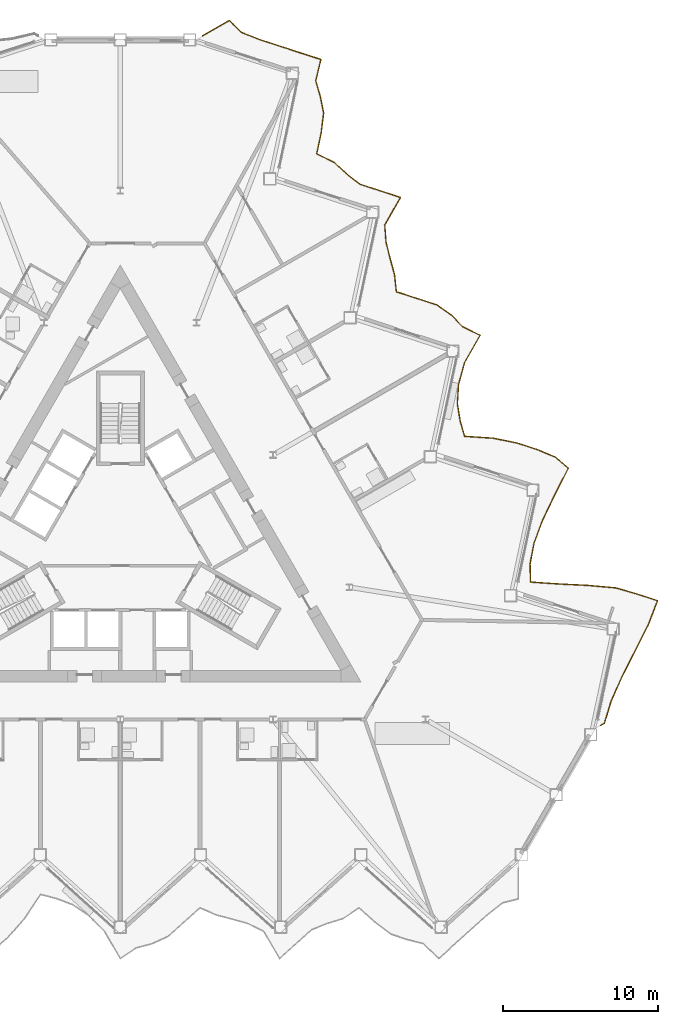
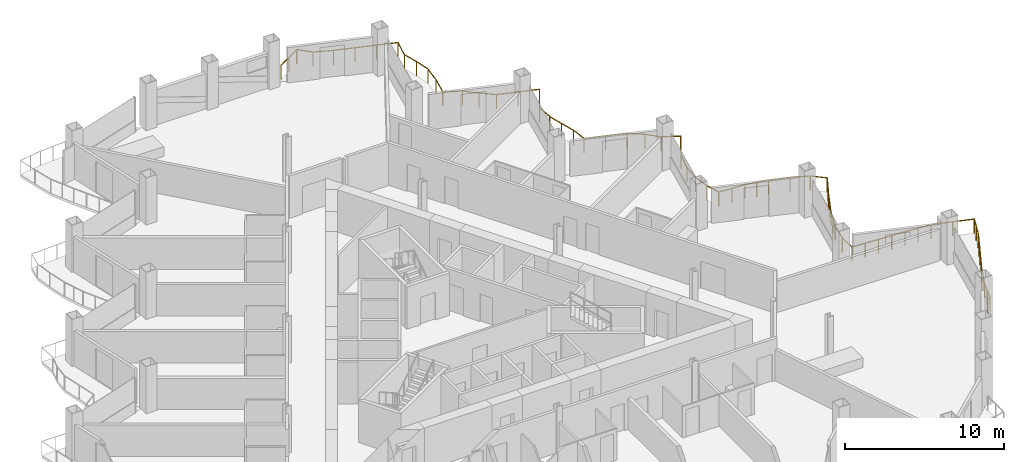
# One storey, part 21 of 23: 1 railing.
"""IFC4 building model written with IfcOpenShell, lengths in metres."""

from ifc_helpers import new_model, si_unit, direction, frame, origin, origin_2d, place, context, subcontext, project, spatial, circle, extrude, material, type_object, element, save


model = new_model("IFC4")

# Units and contexts
model_context = context("Model", 3, precision=1e-05, world=origin(), true_north=direction((0.0, 1.0)))
body_context = subcontext(model_context, "Body", "Model", "MODEL_VIEW")
ifc_project = project(units=[si_unit("LENGTHUNIT", "METRE"), si_unit("AREAUNIT", "SQUARE_METRE"), si_unit("VOLUMEUNIT", "CUBIC_METRE"), si_unit("PLANEANGLEUNIT", "RADIAN"), si_unit("MASSUNIT", "GRAM", prefix="KILO")], contexts=[model_context])

# Site, building, storey
site_placement = place(None, origin())
site = spatial("IfcSite", under=ifc_project, at=site_placement, CompositionType="ELEMENT")
building_placement = place(site_placement, origin())
building = spatial("IfcBuilding", under=site, at=building_placement, Name="Cormorant Prow Tower", CompositionType="ELEMENT")
storey_placement = place(building_placement, frame((0.0, 0.0, 187.199951171875)))
storey = spatial("IfcBuildingStorey", under=building, at=storey_placement, Name="L40", CompositionType="ELEMENT", Elevation=187.199951171875)

# Railing
ifc_material = material(Name="Aluminium 6063-T6", Category="aluminium")
railing_type = type_object("IfcRailingType", Name="Balcony guard 1100", PredefinedType="GUARDRAIL", material=ifc_material)
railing_placement = place(storey_placement, frame((30.9365234375, -11.740234375, 0.0)))
element("IfcRailing", 1, at=railing_placement, inside=storey, type_object=railing_type, Name="Balcony guard ENE", PredefinedType="GUARDRAIL", context=body_context, shape_type="SweptSolid", body=[
    extrude(circle(Radius=0.02392578125, at=origin_2d()), frame((0.0, 0.0, 1.076171875), z_axis=(0.866065156741, 0.499931139538, 0.0), x_axis=(-0.499931139538, 0.866065156741, 0.0)), (0.0, 0.0, 1.0), 0.27001953125),
    extrude(circle(Radius=0.02392578125, at=origin_2d()), frame((0.23388671875, 0.135009765625, 1.076171875), z_axis=(0.293516032745, 0.955954150847, 0.0), x_axis=(-0.955954150847, 0.293516032745, 0.0)), (0.0, 0.0, 1.0), 1.505615234375),
    extrude(circle(Radius=0.02392578125, at=origin_2d()), frame((0.67578125, 1.57421875, 1.076171875), z_axis=(0.406008472679, 0.913869312382, 0.0), x_axis=(-0.913869312382, 0.406008472679, 0.0)), (0.0, 0.0, 1.0), 1.74267578125),
    extrude(circle(Radius=0.02392578125, at=origin_2d()), frame((1.38330078125, 3.166748046875, 1.076171875), z_axis=(0.453484375537, 0.891264226335, 0.0), x_axis=(-0.891264226335, 0.453484375537, 0.0)), (0.0, 0.0, 1.0), 1.881103515625),
    extrude(circle(Radius=0.02392578125, at=origin_2d()), frame((2.236328125, 4.84326171875, 1.076171875), z_axis=(0.448208464574, 0.893929064459, 0.0), x_axis=(-0.893929064459, 0.448208464574, 0.0)), (0.0, 0.0, 1.0), 1.864501953125),
    extrude(circle(Radius=0.02392578125, at=origin_2d()), frame((3.072021484375, 6.510009765625, 1.076171875), z_axis=(0.360150924711, 0.932894051556, 0.0), x_axis=(-0.932894051556, 0.360150924711, 0.0)), (0.0, 0.0, 1.0), 1.633056640625),
    extrude(circle(Radius=0.02392578125, at=origin_2d()), frame((3.66015625, 8.033447265625, 1.076171875), z_axis=(-0.951096454731, 0.308894049472, 0.0), x_axis=(-0.308894049472, -0.951096454731, 0.0)), (0.0, 0.0, 1.0), 1.3798828125),
    extrude(circle(Radius=0.02392578125, at=origin_2d()), frame((2.34765625, 8.459716796875, 1.076171875), z_axis=(-0.959696633934, 0.28103802379, 0.0), x_axis=(-0.28103802379, -0.959696633934, 0.0)), (0.0, 0.0, 1.0), 1.417724609375),
    extrude(circle(Radius=0.02392578125, at=origin_2d()), frame((0.987060546875, 8.858154296875, 1.076171875), z_axis=(-0.99596256154, 0.089769571736, 0.0), x_axis=(-0.089769571736, -0.99596256154, 0.0)), (0.0, 0.0, 1.0), 1.78125),
    extrude(circle(Radius=0.02392578125, at=origin_2d()), frame((-0.787109375, 9.01806640625, 1.076171875), z_axis=(-0.99876998627, 0.04958340979, 0.0), x_axis=(-0.04958340979, -0.99876998627, 0.0)), (0.0, 0.0, 1.0), 1.890869140625),
    extrude(circle(Radius=0.02392578125, at=origin_2d()), frame((-2.675537109375, 9.11181640625, 1.076171875), z_axis=(-0.997766351323, 0.066800510237, 0.0), x_axis=(-0.066800510237, -0.997766351323, 0.0)), (0.0, 0.0, 1.0), 1.842041015625),
    extrude(circle(Radius=0.02392578125, at=origin_2d()), frame((-4.513427734375, 9.23486328125, 1.076171875), z_axis=(-0.031903113576, 0.999490966114, 0.0), x_axis=(-0.999490966114, -0.031903113576, 0.0)), (0.0, 0.0, 1.0), 1.1630859375),
    extrude(circle(Radius=0.02392578125, at=origin_2d()), frame((-4.550537109375, 10.3974609375, 1.076171875), z_axis=(0.189294523256, 0.98192035495, 0.0), x_axis=(-0.98192035495, 0.189294523256, 0.0)), (0.0, 0.0, 1.0), 1.356689453125),
    extrude(circle(Radius=0.02392578125, at=origin_2d()), frame((-4.293701171875, 11.729736328125, 1.076171875), z_axis=(0.348075950724, 0.937466336744, 0.0), x_axis=(-0.937466336744, 0.348075950724, 0.0)), (0.0, 0.0, 1.0), 1.607666015625),
    extrude(circle(Radius=0.02392578125, at=origin_2d()), frame((-3.734130859375, 13.23681640625, 1.076171875), z_axis=(0.432140689655, 0.901806201101, 0.0), x_axis=(-0.901806201101, 0.432140689655, 0.0)), (0.0, 0.0, 1.0), 1.815185546875),
    extrude(circle(Radius=0.02392578125, at=origin_2d()), frame((-2.94970703125, 14.873779296875, 1.076171875), z_axis=(0.457394618231, 0.889263832174, 0.0), x_axis=(-0.889263832174, 0.457394618231, 0.0)), (0.0, 0.0, 1.0), 1.893798828125),
    extrude(circle(Radius=0.02392578125, at=origin_2d()), frame((-2.08349609375, 16.557861328125, 1.076171875), z_axis=(-0.753552441172, 0.657387799098, 0.0), x_axis=(-0.657387799098, -0.753552441172, 0.0)), (0.0, 0.0, 1.0), 1.083984375),
    extrude(circle(Radius=0.02392578125, at=origin_2d()), frame((-2.900390625, 17.2705078125, 1.076171875), z_axis=(-0.923138487325, 0.384467597099, 0.0), x_axis=(-0.384467597099, -0.923138487325, 0.0)), (0.0, 0.0, 1.0), 1.290283203125),
    extrude(circle(Radius=0.02392578125, at=origin_2d()), frame((-4.091552734375, 17.7666015625, 1.076171875), z_axis=(-0.951027567221, 0.309106076267, 0.0), x_axis=(-0.309106076267, -0.951027567221, 0.0)), (0.0, 0.0, 1.0), 1.3798828125),
    extrude(circle(Radius=0.02392578125, at=origin_2d()), frame((-5.40380859375, 18.193115234375, 1.076171875), z_axis=(-0.980659137752, 0.195723415928, 0.0), x_axis=(-0.195723415928, -0.980659137752, 0.0)), (0.0, 0.0, 1.0), 1.55419921875),
    extrude(circle(Radius=0.02392578125, at=origin_2d()), frame((-6.927978515625, 18.497314453125, 1.076171875), z_axis=(-0.997805037739, 0.066220137891, 0.0), x_axis=(-0.066220137891, -0.997805037739, 0.0)), (0.0, 0.0, 1.0), 1.843505859375),
    extrude(circle(Radius=0.02392578125, at=origin_2d()), frame((-8.767333984375, 18.619384765625, 1.076171875), z_axis=(-0.273104735549, 0.961984305184, 0.0), x_axis=(-0.961984305184, -0.273104735549, 0.0)), (0.0, 0.0, 1.0), 1.0576171875),
    extrude(circle(Radius=0.02392578125, at=origin_2d()), frame((-9.05615234375, 19.63671875, 1.076171875), z_axis=(-0.157435427354, 0.987529283725, 0.0), x_axis=(-0.987529283725, -0.157435427354, 0.0)), (0.0, 0.0, 1.0), 1.097900390625),
    extrude(circle(Radius=0.02392578125, at=origin_2d()), frame((-9.22900390625, 20.720947265625, 1.076171875), z_axis=(0.060956655483, 0.998140414046, 0.0), x_axis=(-0.998140414046, 0.060956655483, 0.0)), (0.0, 0.0, 1.0), 1.2294921875),
    extrude(circle(Radius=0.02392578125, at=origin_2d()), frame((-9.154052734375, 21.9482421875, 1.076171875), z_axis=(0.263259196573, 0.96472513983, 0.0), x_axis=(-0.96472513983, 0.263259196573, 0.0)), (0.0, 0.0, 1.0), 1.45703125),
    extrude(circle(Radius=0.02392578125, at=origin_2d()), frame((-8.7705078125, 23.353759765625, 1.076171875), z_axis=(0.495453233492, 0.868634614451, 0.0), x_axis=(-0.868634614451, 0.495453233492, 0.0)), (0.0, 0.0, 1.0), 2.03271484375),
    extrude(circle(Radius=0.02392578125, at=origin_2d()), frame((-7.763427734375, 25.119384765625, 1.076171875), z_axis=(-0.896556330996, 0.442929729586, 0.0), x_axis=(-0.442929729586, -0.896556330996, 0.0)), (0.0, 0.0, 1.0), 1.232421875),
    extrude(circle(Radius=0.02392578125, at=origin_2d()), frame((-8.868408203125, 25.665283203125, 1.076171875), z_axis=(-0.704570306459, 0.709634189746, 0.0), x_axis=(-0.709634189746, -0.704570306459, 0.0)), (0.0, 0.0, 1.0), 1.060546875),
    extrude(circle(Radius=0.02392578125, at=origin_2d()), frame((-9.61572265625, 26.41796875, 1.076171875), z_axis=(-0.813000196815, 0.582263411163, 0.0), x_axis=(-0.582263411163, -0.813000196815, 0.0)), (0.0, 0.0, 1.0), 1.125732421875),
    extrude(circle(Radius=0.02392578125, at=origin_2d()), frame((-10.531005859375, 27.073486328125, 1.076171875), z_axis=(-0.951044468521, 0.309054071151, 0.0), x_axis=(-0.309054071151, -0.951044468521, 0.0)), (0.0, 0.0, 1.0), 1.380126953125),
    extrude(circle(Radius=0.02392578125, at=origin_2d()), frame((-11.843505859375, 27.5, 1.076171875), z_axis=(-0.951079570005, 0.308946033345, 0.0), x_axis=(-0.308946033345, -0.951079570005, 0.0)), (0.0, 0.0, 1.0), 1.379638671875),
    extrude(circle(Radius=0.02392578125, at=origin_2d()), frame((-13.15576171875, 27.92626953125, 1.076171875), z_axis=(-0.10851798639, 0.994094485766, 0.0), x_axis=(-0.994094485766, -0.10851798639, 0.0)), (0.0, 0.0, 1.0), 1.120361328125),
    extrude(circle(Radius=0.02392578125, at=origin_2d()), frame((-13.27734375, 29.0400390625, 1.076171875), z_axis=(-0.263877179936, 0.964556288616, 0.0), x_axis=(-0.964556288616, -0.263877179936, 0.0)), (0.0, 0.0, 1.0), 1.060302734375),
    extrude(circle(Radius=0.02392578125, at=origin_2d()), frame((-13.55712890625, 30.062744140625, 1.076171875), z_axis=(-0.244906747851, 0.969546638825, 0.0), x_axis=(-0.969546638825, -0.244906747851, 0.0)), (0.0, 0.0, 1.0), 1.065673828125),
    extrude(circle(Radius=0.02392578125, at=origin_2d()), frame((-13.818115234375, 31.095947265625, 1.076171875), z_axis=(-0.074645969894, 0.997210097812, 0.0), x_axis=(-0.997210097812, -0.074645969894, 0.0)), (0.0, 0.0, 1.0), 1.13818359375),
    extrude(circle(Radius=0.02392578125, at=origin_2d()), frame((-13.903076171875, 32.23095703125, 1.076171875), z_axis=(0.496861152108, 0.867830049909, 0.0), x_axis=(-0.867830049909, 0.496861152108, 0.0)), (0.0, 0.0, 1.0), 2.0380859375),
    extrude(circle(Radius=0.02392578125, at=origin_2d()), frame((-12.890380859375, 33.999755859375, 1.076171875), z_axis=(-0.951079570005, 0.308946033345, 0.0), x_axis=(-0.308946033345, -0.951079570005, 0.0)), (0.0, 0.0, 1.0), 1.379638671875),
    extrude(circle(Radius=0.02392578125, at=origin_2d()), frame((-14.20263671875, 34.426025390625, 1.076171875), z_axis=(-0.951044468521, 0.309054071151, 0.0), x_axis=(-0.309054071151, -0.951044468521, 0.0)), (0.0, 0.0, 1.0), 1.380126953125),
    extrude(circle(Radius=0.02392578125, at=origin_2d()), frame((-15.51513671875, 34.8525390625, 1.076171875), z_axis=(-0.786464009692, 0.617636107639, 0.0), x_axis=(-0.617636107639, -0.786464009692, 0.0)), (0.0, 0.0, 1.0), 1.104736328125),
    extrude(circle(Radius=0.02392578125, at=origin_2d()), frame((-16.384033203125, 35.534912109375, 1.076171875), z_axis=(-0.73419294038, 0.678940885715, 0.0), x_axis=(-0.678940885715, -0.73419294038, 0.0)), (0.0, 0.0, 1.0), 1.07373046875),
    extrude(circle(Radius=0.02392578125, at=origin_2d()), frame((-17.17236328125, 36.263916015625, 1.076171875), z_axis=(-0.898420732639, 0.439135727497, 0.0), x_axis=(-0.439135727497, -0.898420732639, 0.0)), (0.0, 0.0, 1.0), 1.23583984375),
    extrude(circle(Radius=0.02392578125, at=origin_2d()), frame((-18.28271484375, 36.806640625, 1.076171875), z_axis=(0.207873566928, 0.97815570344, 0.0), x_axis=(-0.97815570344, 0.207873566928, 0.0)), (0.0, 0.0, 1.0), 1.3798828125),
    extrude(circle(Radius=0.02392578125, at=origin_2d()), frame((-17.995849609375, 38.156494140625, 1.076171875), z_axis=(0.1220457222, 0.99252447914, 0.0), x_axis=(-0.99252447914, 0.1220457222, 0.0)), (0.0, 0.0, 1.0), 1.2841796875),
    extrude(circle(Radius=0.02392578125, at=origin_2d()), frame((-17.839111328125, 39.43115234375, 1.076171875), z_axis=(-0.196029372676, 0.980598024191, 0.0), x_axis=(-0.980598024191, -0.196029372676, 0.0)), (0.0, 0.0, 1.0), 1.082275390625),
    extrude(circle(Radius=0.02392578125, at=origin_2d()), frame((-18.05126953125, 40.492431640625, 1.076171875), z_axis=(-0.276795561182, 0.960928830513, 0.0), x_axis=(-0.960928830513, -0.276795561182, 0.0)), (0.0, 0.0, 1.0), 1.056640625),
    extrude(circle(Radius=0.02392578125, at=origin_2d()), frame((-18.34375, 41.5078125, 1.076171875), z_axis=(0.231238316369, 0.972897137956, 0.0), x_axis=(-0.972897137956, 0.231238316369, 0.0)), (0.0, 0.0, 1.0), 1.41064453125),
    extrude(circle(Radius=0.02392578125, at=origin_2d()), frame((-18.017578125, 42.880126953125, 1.076171875), z_axis=(-0.951027567221, 0.309106076267, 0.0), x_axis=(-0.309106076267, -0.951027567221, 0.0)), (0.0, 0.0, 1.0), 1.3798828125),
    extrude(circle(Radius=0.02392578125, at=origin_2d()), frame((-19.329833984375, 43.306640625, 1.076171875), z_axis=(-0.951079570005, 0.308946033345, 0.0), x_axis=(-0.308946033345, -0.951079570005, 0.0)), (0.0, 0.0, 1.0), 1.379638671875),
    extrude(circle(Radius=0.02392578125, at=origin_2d()), frame((-20.64208984375, 43.73291015625, 1.076171875), z_axis=(-0.951027567221, 0.309106076267, 0.0), x_axis=(-0.309106076267, -0.951027567221, 0.0)), (0.0, 0.0, 1.0), 1.3798828125),
    extrude(circle(Radius=0.02392578125, at=origin_2d()), frame((-21.954345703125, 44.159423828125, 1.076171875), z_axis=(-0.929859808769, 0.367914033486, 0.0), x_axis=(-0.367914033486, -0.929859808769, 0.0)), (0.0, 0.0, 1.0), 1.30859375),
    extrude(circle(Radius=0.02392578125, at=origin_2d()), frame((-23.171142578125, 44.640869140625, 1.076171875), z_axis=(-0.696877293375, 0.717190377779, 0.0), x_axis=(-0.717190377779, -0.696877293375, 0.0)), (0.0, 0.0, 1.0), 1.0576171875),
    extrude(circle(Radius=0.02392578125, at=origin_2d()), frame((-23.908203125, 45.3994140625, 1.076171875), z_axis=(-0.866042919053, -0.499969661438, 0.0), x_axis=(0.499969661438, -0.866042919053, 0.0)), (0.0, 0.0, 1.0), 1.99462890625),
    extrude(circle(Radius=0.02099609375, at=origin_2d()), origin(), (0.0, 0.0, 1.0), 1.052001953125),
    extrude(circle(Radius=0.02099609375, at=origin_2d()), frame((0.23388671875, 0.135009765625, 0.0)), (0.0, 0.0, 1.0), 1.052001953125),
    extrude(circle(Radius=0.02099609375, at=origin_2d()), frame((0.454833984375, 0.8544921875, 0.0)), (0.0, 0.0, 1.0), 1.052001953125),
    extrude(circle(Radius=0.02099609375, at=origin_2d()), frame((0.67578125, 1.57421875, 0.0)), (0.0, 0.0, 1.0), 1.052001953125),
    extrude(circle(Radius=0.02099609375, at=origin_2d()), frame((1.029541015625, 2.37060546875, 0.0)), (0.0, 0.0, 1.0), 1.052001953125),
    extrude(circle(Radius=0.02099609375, at=origin_2d()), frame((1.38330078125, 3.166748046875, 0.0)), (0.0, 0.0, 1.0), 1.052001953125),
    extrude(circle(Radius=0.02099609375, at=origin_2d()), frame((1.809814453125, 4.0048828125, 0.0)), (0.0, 0.0, 1.0), 1.052001953125),
    extrude(circle(Radius=0.02099609375, at=origin_2d()), frame((2.236328125, 4.84326171875, 0.0)), (0.0, 0.0, 1.0), 1.052001953125),
    extrude(circle(Radius=0.02099609375, at=origin_2d()), frame((2.654296875, 5.6767578125, 0.0)), (0.0, 0.0, 1.0), 1.052001953125),
    extrude(circle(Radius=0.02099609375, at=origin_2d()), frame((3.072021484375, 6.510009765625, 0.0)), (0.0, 0.0, 1.0), 1.052001953125),
    extrude(circle(Radius=0.02099609375, at=origin_2d()), frame((3.3662109375, 7.271728515625, 0.0)), (0.0, 0.0, 1.0), 1.052001953125),
    extrude(circle(Radius=0.02099609375, at=origin_2d()), frame((3.66015625, 8.033447265625, 0.0)), (0.0, 0.0, 1.0), 1.052001953125),
    extrude(circle(Radius=0.02099609375, at=origin_2d()), frame((2.34765625, 8.459716796875, 0.0)), (0.0, 0.0, 1.0), 1.052001953125),
    extrude(circle(Radius=0.02099609375, at=origin_2d()), frame((0.987060546875, 8.858154296875, 0.0)), (0.0, 0.0, 1.0), 1.052001953125),
    extrude(circle(Radius=0.02099609375, at=origin_2d()), frame((0.10009765625, 8.93798828125, 0.0)), (0.0, 0.0, 1.0), 1.052001953125),
    extrude(circle(Radius=0.02099609375, at=origin_2d()), frame((-0.787109375, 9.01806640625, 0.0)), (0.0, 0.0, 1.0), 1.052001953125),
    extrude(circle(Radius=0.02099609375, at=origin_2d()), frame((-1.7314453125, 9.06494140625, 0.0)), (0.0, 0.0, 1.0), 1.052001953125),
    extrude(circle(Radius=0.02099609375, at=origin_2d()), frame((-2.675537109375, 9.11181640625, 0.0)), (0.0, 0.0, 1.0), 1.052001953125),
    extrude(circle(Radius=0.02099609375, at=origin_2d()), frame((-3.594482421875, 9.17333984375, 0.0)), (0.0, 0.0, 1.0), 1.052001953125),
    extrude(circle(Radius=0.02099609375, at=origin_2d()), frame((-4.513427734375, 9.23486328125, 0.0)), (0.0, 0.0, 1.0), 1.052001953125),
    extrude(circle(Radius=0.02099609375, at=origin_2d()), frame((-4.550537109375, 10.3974609375, 0.0)), (0.0, 0.0, 1.0), 1.052001953125),
    extrude(circle(Radius=0.02099609375, at=origin_2d()), frame((-4.293701171875, 11.729736328125, 0.0)), (0.0, 0.0, 1.0), 1.052001953125),
    extrude(circle(Radius=0.02099609375, at=origin_2d()), frame((-4.013916015625, 12.4833984375, 0.0)), (0.0, 0.0, 1.0), 1.052001953125),
    extrude(circle(Radius=0.02099609375, at=origin_2d()), frame((-3.734130859375, 13.23681640625, 0.0)), (0.0, 0.0, 1.0), 1.052001953125),
    extrude(circle(Radius=0.02099609375, at=origin_2d()), frame((-3.341796875, 14.05517578125, 0.0)), (0.0, 0.0, 1.0), 1.052001953125),
    extrude(circle(Radius=0.02099609375, at=origin_2d()), frame((-2.94970703125, 14.873779296875, 0.0)), (0.0, 0.0, 1.0), 1.052001953125),
    extrude(circle(Radius=0.02099609375, at=origin_2d()), frame((-2.5166015625, 15.7158203125, 0.0)), (0.0, 0.0, 1.0), 1.052001953125),
    extrude(circle(Radius=0.02099609375, at=origin_2d()), frame((-2.08349609375, 16.557861328125, 0.0)), (0.0, 0.0, 1.0), 1.052001953125),
    extrude(circle(Radius=0.02099609375, at=origin_2d()), frame((-2.900390625, 17.2705078125, 0.0)), (0.0, 0.0, 1.0), 1.052001953125),
    extrude(circle(Radius=0.02099609375, at=origin_2d()), frame((-4.091552734375, 17.7666015625, 0.0)), (0.0, 0.0, 1.0), 1.052001953125),
    extrude(circle(Radius=0.02099609375, at=origin_2d()), frame((-5.40380859375, 18.193115234375, 0.0)), (0.0, 0.0, 1.0), 1.052001953125),
    extrude(circle(Radius=0.02099609375, at=origin_2d()), frame((-6.166015625, 18.34521484375, 0.0)), (0.0, 0.0, 1.0), 1.052001953125),
    extrude(circle(Radius=0.02099609375, at=origin_2d()), frame((-6.927978515625, 18.497314453125, 0.0)), (0.0, 0.0, 1.0), 1.052001953125),
    extrude(circle(Radius=0.02099609375, at=origin_2d()), frame((-7.84765625, 18.558349609375, 0.0)), (0.0, 0.0, 1.0), 1.052001953125),
    extrude(circle(Radius=0.02099609375, at=origin_2d()), frame((-8.767333984375, 18.619384765625, 0.0)), (0.0, 0.0, 1.0), 1.052001953125),
    extrude(circle(Radius=0.02099609375, at=origin_2d()), frame((-9.05615234375, 19.63671875, 0.0)), (0.0, 0.0, 1.0), 1.052001953125),
    extrude(circle(Radius=0.02099609375, at=origin_2d()), frame((-9.22900390625, 20.720947265625, 0.0)), (0.0, 0.0, 1.0), 1.052001953125),
    extrude(circle(Radius=0.02099609375, at=origin_2d()), frame((-9.154052734375, 21.9482421875, 0.0)), (0.0, 0.0, 1.0), 1.052001953125),
    extrude(circle(Radius=0.02099609375, at=origin_2d()), frame((-8.7705078125, 23.353759765625, 0.0)), (0.0, 0.0, 1.0), 1.052001953125),
    extrude(circle(Radius=0.02099609375, at=origin_2d()), frame((-8.26708984375, 24.236572265625, 0.0)), (0.0, 0.0, 1.0), 1.052001953125),
    extrude(circle(Radius=0.02099609375, at=origin_2d()), frame((-7.763427734375, 25.119384765625, 0.0)), (0.0, 0.0, 1.0), 1.052001953125),
    extrude(circle(Radius=0.02099609375, at=origin_2d()), frame((-8.868408203125, 25.665283203125, 0.0)), (0.0, 0.0, 1.0), 1.052001953125),
    extrude(circle(Radius=0.02099609375, at=origin_2d()), frame((-9.61572265625, 26.41796875, 0.0)), (0.0, 0.0, 1.0), 1.052001953125),
    extrude(circle(Radius=0.02099609375, at=origin_2d()), frame((-10.531005859375, 27.073486328125, 0.0)), (0.0, 0.0, 1.0), 1.052001953125),
    extrude(circle(Radius=0.02099609375, at=origin_2d()), frame((-11.843505859375, 27.5, 0.0)), (0.0, 0.0, 1.0), 1.052001953125),
    extrude(circle(Radius=0.02099609375, at=origin_2d()), frame((-13.15576171875, 27.92626953125, 0.0)), (0.0, 0.0, 1.0), 1.052001953125),
    extrude(circle(Radius=0.02099609375, at=origin_2d()), frame((-13.27734375, 29.0400390625, 0.0)), (0.0, 0.0, 1.0), 1.052001953125),
    extrude(circle(Radius=0.02099609375, at=origin_2d()), frame((-13.55712890625, 30.062744140625, 0.0)), (0.0, 0.0, 1.0), 1.052001953125),
    extrude(circle(Radius=0.02099609375, at=origin_2d()), frame((-13.818115234375, 31.095947265625, 0.0)), (0.0, 0.0, 1.0), 1.052001953125),
    extrude(circle(Radius=0.02099609375, at=origin_2d()), frame((-13.903076171875, 32.23095703125, 0.0)), (0.0, 0.0, 1.0), 1.052001953125),
    extrude(circle(Radius=0.02099609375, at=origin_2d()), frame((-13.396728515625, 33.115234375, 0.0)), (0.0, 0.0, 1.0), 1.052001953125),
    extrude(circle(Radius=0.02099609375, at=origin_2d()), frame((-12.890380859375, 33.999755859375, 0.0)), (0.0, 0.0, 1.0), 1.052001953125),
    extrude(circle(Radius=0.02099609375, at=origin_2d()), frame((-14.20263671875, 34.426025390625, 0.0)), (0.0, 0.0, 1.0), 1.052001953125),
    extrude(circle(Radius=0.02099609375, at=origin_2d()), frame((-15.51513671875, 34.8525390625, 0.0)), (0.0, 0.0, 1.0), 1.052001953125),
    extrude(circle(Radius=0.02099609375, at=origin_2d()), frame((-16.384033203125, 35.534912109375, 0.0)), (0.0, 0.0, 1.0), 1.052001953125),
    extrude(circle(Radius=0.02099609375, at=origin_2d()), frame((-17.17236328125, 36.263916015625, 0.0)), (0.0, 0.0, 1.0), 1.052001953125),
    extrude(circle(Radius=0.02099609375, at=origin_2d()), frame((-18.28271484375, 36.806640625, 0.0)), (0.0, 0.0, 1.0), 1.052001953125),
    extrude(circle(Radius=0.02099609375, at=origin_2d()), frame((-17.995849609375, 38.156494140625, 0.0)), (0.0, 0.0, 1.0), 1.052001953125),
    extrude(circle(Radius=0.02099609375, at=origin_2d()), frame((-17.839111328125, 39.43115234375, 0.0)), (0.0, 0.0, 1.0), 1.052001953125),
    extrude(circle(Radius=0.02099609375, at=origin_2d()), frame((-18.05126953125, 40.492431640625, 0.0)), (0.0, 0.0, 1.0), 1.052001953125),
    extrude(circle(Radius=0.02099609375, at=origin_2d()), frame((-18.34375, 41.5078125, 0.0)), (0.0, 0.0, 1.0), 1.052001953125),
    extrude(circle(Radius=0.02099609375, at=origin_2d()), frame((-18.017578125, 42.880126953125, 0.0)), (0.0, 0.0, 1.0), 1.052001953125),
    extrude(circle(Radius=0.02099609375, at=origin_2d()), frame((-19.329833984375, 43.306640625, 0.0)), (0.0, 0.0, 1.0), 1.052001953125),
    extrude(circle(Radius=0.02099609375, at=origin_2d()), frame((-20.64208984375, 43.73291015625, 0.0)), (0.0, 0.0, 1.0), 1.052001953125),
    extrude(circle(Radius=0.02099609375, at=origin_2d()), frame((-21.954345703125, 44.159423828125, 0.0)), (0.0, 0.0, 1.0), 1.052001953125),
    extrude(circle(Radius=0.02099609375, at=origin_2d()), frame((-23.171142578125, 44.640869140625, 0.0)), (0.0, 0.0, 1.0), 1.052001953125),
    extrude(circle(Radius=0.02099609375, at=origin_2d()), frame((-23.908203125, 45.3994140625, 0.0)), (0.0, 0.0, 1.0), 1.052001953125),
    extrude(circle(Radius=0.02099609375, at=origin_2d()), frame((-24.77197265625, 44.90087890625, 0.0)), (0.0, 0.0, 1.0), 1.052001953125),
    extrude(circle(Radius=0.02099609375, at=origin_2d()), frame((-25.6357421875, 44.402099609375, 0.0)), (0.0, 0.0, 1.0), 1.052001953125),
])

save(model, "model.ifc")
